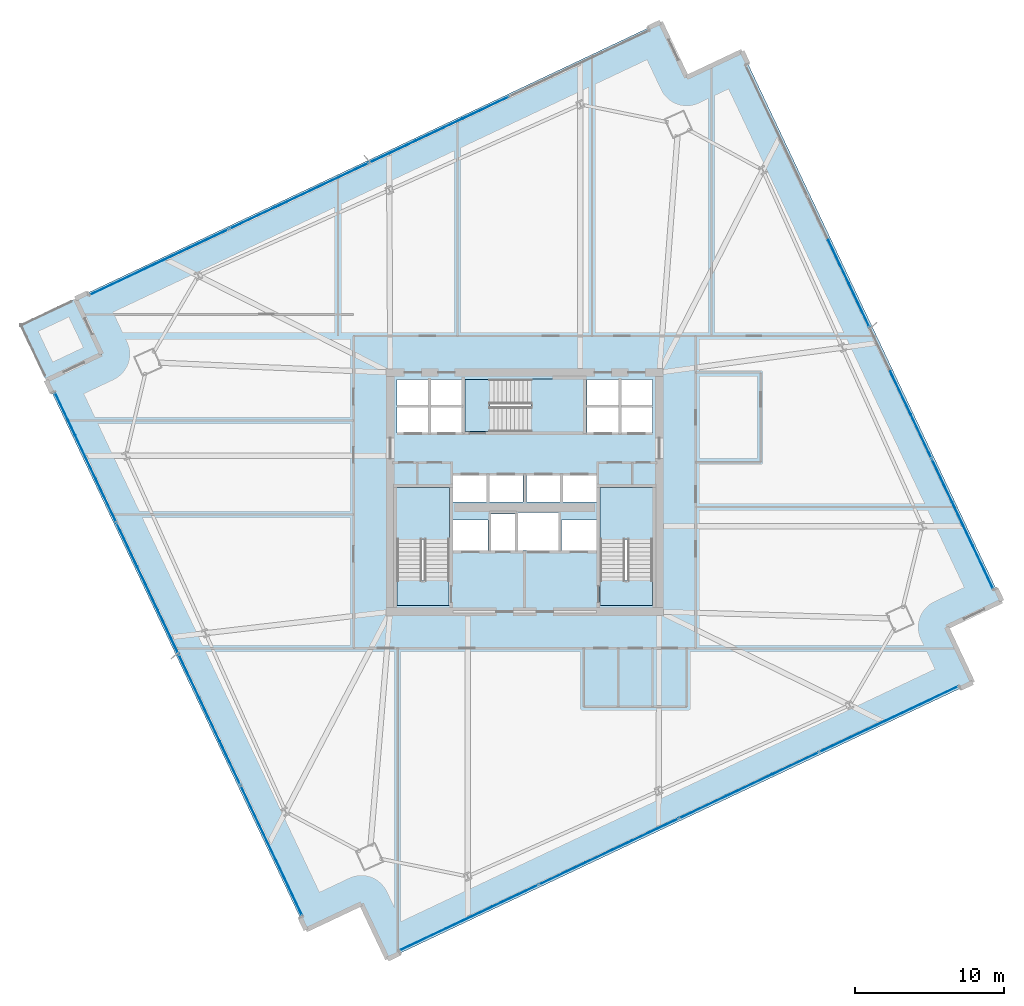
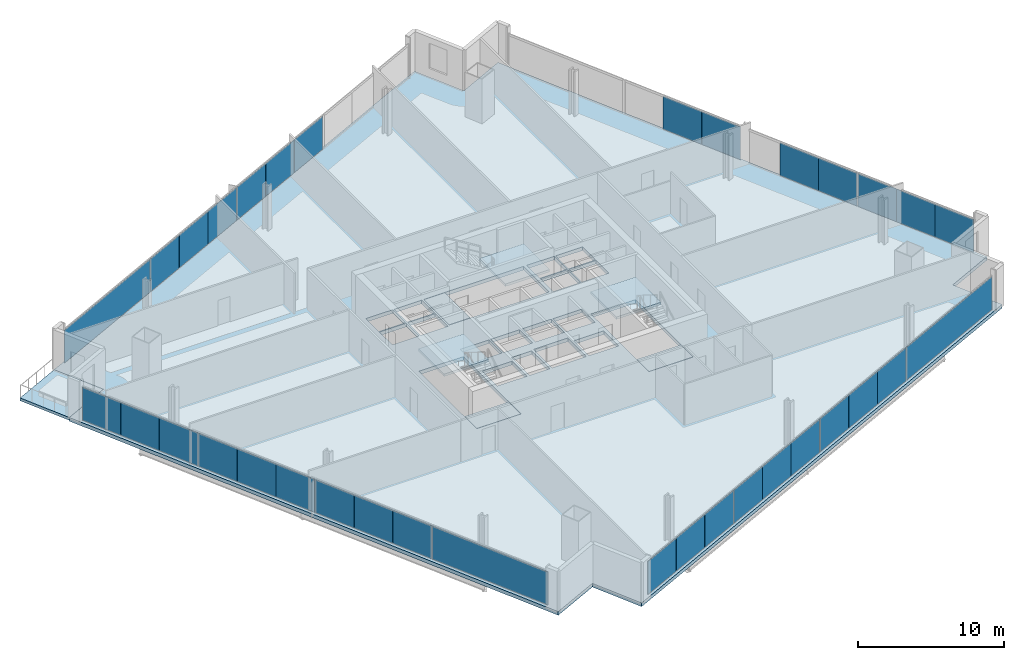
# One storey, part 24 of 34: 34 plates, 8 slabs, 7 elements without a shape of their own.
"""IFC4 building model written with IfcOpenShell, lengths in metres."""

from ifc_helpers import new_model, si_unit, direction, frame, origin, origin_2d, place, context, subcontext, project, spatial, polyline, rectangle, outline, extrude, source, transform, mapped, material, layer, layer_set, type_object, element, aggregate, save


model = new_model("IFC4")

# Units and contexts
model_context = context("Model", 3, precision=1e-05, world=origin(), true_north=direction((0.0, 1.0)))
body_context = subcontext(model_context, "Body", "Model", "MODEL_VIEW")
ifc_project = project(units=[si_unit("LENGTHUNIT", "METRE"), si_unit("AREAUNIT", "SQUARE_METRE"), si_unit("VOLUMEUNIT", "CUBIC_METRE"), si_unit("PLANEANGLEUNIT", "RADIAN"), si_unit("MASSUNIT", "GRAM", prefix="KILO")], contexts=[model_context])

# Site, building, storey
site_placement = place(None, origin())
site = spatial("IfcSite", under=ifc_project, at=site_placement, CompositionType="ELEMENT")
building_placement = place(site_placement, origin())
building = spatial("IfcBuilding", under=site, at=building_placement, Name="Haldenkirk Collegiate Tower", CompositionType="ELEMENT")
storey_placement = place(building_placement, frame((0.0, 0.0, 112.949951171875)))
storey = spatial("IfcBuildingStorey", under=building, at=storey_placement, Name="L27", CompositionType="ELEMENT", Elevation=112.949951171875)

# Slab
ifc_material_1 = material(Name="Concrete f'c 40 MPa", Category="concrete")
ifc_layer_1 = layer(ifc_material_1, 0.300048828125)
ifc_layer_set_1 = layer_set([ifc_layer_1], Name="Concrete f'c 40 MPa")
slab_type_1 = type_object("IfcSlabType", Name="SLB-FLR-300", PredefinedType="FLOOR", material=ifc_layer_set_1)
slab_1_placement = place(storey_placement, frame((0.0, 0.0, -0.300048828125)))
element("IfcSlab", 1, at=slab_1_placement, inside=storey, type_object=slab_type_1, Name="L27 composite structural floor slab", PredefinedType="FLOOR", context=body_context, shape_type="SweptSolid", body=[
    extrude(outline(polyline([(26.822021484375, -5.244140625), (65.968994140625, 13.260498046875), (64.216796875, 16.96728515625), (67.92333984375, 18.719482421875), (50.540771484375, 55.492919921875), (46.833984375, 53.74072265625), (45.081787109375, 57.447509765625), (5.93505859375, 38.94287109375), (7.68701171875, 35.236083984375), (3.98046875, 33.48388671875), (21.36328125, -3.28955078125), (25.06982421875, -1.537353515625), (26.822021484375, -5.244140625)]), holes=[polyline([(27.449951171875, 18.39990234375), (30.949951171875, 18.39990234375), (30.949951171875, 26.300048828125), (27.449951171875, 26.300048828125), (27.449951171875, 18.39990234375)]), polyline([(41.050048828125, 18.39990234375), (44.550048828125, 18.39990234375), (44.550048828125, 26.300048828125), (41.050048828125, 26.300048828125), (41.050048828125, 18.39990234375)]), polyline([(32.0, 30.050048828125), (39.89990234375, 30.050048828125), (39.89990234375, 33.550048828125), (32.0, 33.550048828125), (32.0, 30.050048828125)]), polyline([(33.75, 22.10009765625), (35.35009765625, 22.10009765625), (35.35009765625, 24.550048828125), (33.75, 24.550048828125), (33.75, 22.10009765625)]), polyline([(27.449951171875, 29.949951171875), (29.580078125, 29.949951171875), (29.580078125, 31.699951171875), (27.449951171875, 31.699951171875), (27.449951171875, 29.949951171875)]), polyline([(29.679931640625, 29.949951171875), (31.85009765625, 29.949951171875), (31.85009765625, 31.699951171875), (29.679931640625, 31.699951171875), (29.679931640625, 29.949951171875)]), polyline([(27.449951171875, 31.800048828125), (29.580078125, 31.800048828125), (29.580078125, 33.550048828125), (27.449951171875, 33.550048828125), (27.449951171875, 31.800048828125)]), polyline([(29.679931640625, 31.800048828125), (31.85009765625, 31.800048828125), (31.85009765625, 33.550048828125), (29.679931640625, 33.550048828125), (29.679931640625, 31.800048828125)]), polyline([(40.14990234375, 29.949951171875), (42.320068359375, 29.949951171875), (42.320068359375, 31.699951171875), (40.14990234375, 31.699951171875), (40.14990234375, 29.949951171875)]), polyline([(42.419921875, 29.949951171875), (44.550048828125, 29.949951171875), (44.550048828125, 31.699951171875), (42.419921875, 31.699951171875), (42.419921875, 29.949951171875)]), polyline([(40.14990234375, 31.800048828125), (42.320068359375, 31.800048828125), (42.320068359375, 33.550048828125), (40.14990234375, 33.550048828125), (40.14990234375, 31.800048828125)]), polyline([(42.419921875, 31.800048828125), (44.550048828125, 31.800048828125), (44.550048828125, 33.550048828125), (42.419921875, 33.550048828125), (42.419921875, 31.800048828125)]), polyline([(31.199951171875, 25.35009765625), (33.47998046875, 25.35009765625), (33.47998046875, 27.14990234375), (31.199951171875, 27.14990234375), (31.199951171875, 25.35009765625)]), polyline([(33.60009765625, 25.35009765625), (35.8798828125, 25.35009765625), (35.8798828125, 27.14990234375), (33.60009765625, 27.14990234375), (33.60009765625, 25.35009765625)]), polyline([(36.1201171875, 25.35009765625), (38.39990234375, 25.35009765625), (38.39990234375, 27.14990234375), (36.1201171875, 27.14990234375), (36.1201171875, 25.35009765625)]), polyline([(38.52001953125, 25.35009765625), (40.800048828125, 25.35009765625), (40.800048828125, 27.14990234375), (38.52001953125, 27.14990234375), (38.52001953125, 25.35009765625)]), polyline([(31.199951171875, 22.10009765625), (33.550048828125, 22.10009765625), (33.550048828125, 24.14990234375), (31.199951171875, 24.14990234375), (31.199951171875, 22.10009765625)]), polyline([(38.449951171875, 22.10009765625), (40.800048828125, 22.10009765625), (40.800048828125, 24.14990234375), (38.449951171875, 24.14990234375), (38.449951171875, 22.10009765625)]), polyline([(35.550048828125, 22.10009765625), (38.25, 22.10009765625), (38.25, 24.64990234375), (35.550048828125, 24.64990234375), (35.550048828125, 22.10009765625)])]), origin(), (0.0, 0.0, 1.0), 0.300048828125),
])

# Stair, slab
stair_type = type_object("IfcStairType", Name="STR-DOGLEG-1650", PredefinedType="HALF_TURN_STAIR", material=ifc_material_1)
stair_1_placement = place(storey_placement, origin())
stair_1 = element("IfcStair", 2, at=stair_1_placement, inside=storey, type_object=stair_type, Name="L27 Core Exit Stair ST-1", PredefinedType="HALF_TURN_STAIR")
ifc_layer_2 = layer(ifc_material_1, 0.199951171875)
ifc_layer_set_2 = layer_set([ifc_layer_2], Name="Concrete f'c 40 MPa")
slab_type_2 = type_object("IfcSlabType", Name="SLB-LANDING-200", PredefinedType="LANDING", material=ifc_layer_set_2)
slab_2_placement = place(storey_placement, frame((0.0, 0.0, 1.675048828125)))
slab_2 = element("IfcSlab", 3, at=slab_2_placement, type_object=slab_type_2, Name="ST-1 landing 1", PredefinedType="LANDING", context=body_context, shape_type="SweptSolid", body=[
    extrude(outline(polyline([(30.97509765625, 22.824951171875), (27.425048828125, 22.824951171875), (27.425048828125, 26.324951171875), (30.97509765625, 26.324951171875), (30.97509765625, 22.824951171875)])), origin(), (0.0, 0.0, 1.0), 0.199951171875),
])
aggregate(stair_1, [slab_2])

stair_2_placement = place(storey_placement, origin())
stair_2 = element("IfcStair", 4, at=stair_2_placement, inside=storey, type_object=stair_type, Name="L27 Core Exit Stair ST-2", PredefinedType="HALF_TURN_STAIR")
slab_3_placement = place(storey_placement, frame((0.0, 0.0, 1.675048828125)))
slab_3 = element("IfcSlab", 5, at=slab_3_placement, type_object=slab_type_2, Name="ST-2 landing 1", PredefinedType="LANDING", context=body_context, shape_type="SweptSolid", body=[
    extrude(outline(polyline([(44.574951171875, 22.824951171875), (41.02490234375, 22.824951171875), (41.02490234375, 26.324951171875), (44.574951171875, 26.324951171875), (44.574951171875, 22.824951171875)])), origin(), (0.0, 0.0, 1.0), 0.199951171875),
])
aggregate(stair_2, [slab_3])

stair_3_placement = place(storey_placement, origin())
stair_3 = element("IfcStair", 6, at=stair_3_placement, inside=storey, type_object=stair_type, Name="L27 Core Exit Stair ST-3", PredefinedType="HALF_TURN_STAIR")
slab_4_placement = place(storey_placement, frame((0.0, 0.0, 1.675048828125)))
slab_4 = element("IfcSlab", 7, at=slab_4_placement, type_object=slab_type_2, Name="ST-3 landing 1", PredefinedType="LANDING", context=body_context, shape_type="SweptSolid", body=[
    extrude(outline(polyline([(36.425048828125, 30.02490234375), (36.425048828125, 33.574951171875), (39.925048828125, 33.574951171875), (39.925048828125, 30.02490234375), (36.425048828125, 30.02490234375)])), origin(), (0.0, 0.0, 1.0), 0.199951171875),
])
aggregate(stair_3, [slab_4])

# Slabs
ifc_layer_3 = layer(ifc_material_1, 0.25)
ifc_layer_set_3 = layer_set([ifc_layer_3], Name="Concrete f'c 40 MPa")
slab_type_3 = type_object("IfcSlabType", Name="SLB-STAIRLAND-250", PredefinedType="LANDING", material=ifc_layer_set_3)
slab_5_placement = place(storey_placement, frame((0.0, 0.0, -0.25)))
element("IfcSlab", 8, at=slab_5_placement, inside=storey, type_object=slab_type_3, Name="L27 stair ST1 structural floor landing slab", PredefinedType="LANDING", context=body_context, shape_type="SweptSolid", body=[
    extrude(outline(polyline([(27.4599609375, 18.409912109375), (30.93994140625, 18.409912109375), (30.93994140625, 20.080078125), (27.4599609375, 20.080078125), (27.4599609375, 18.409912109375)])), origin(), (0.0, 0.0, 1.0), 0.25),
])
slab_6_placement = place(storey_placement, frame((0.0, 0.0, -0.25)))
element("IfcSlab", 9, at=slab_6_placement, inside=storey, type_object=slab_type_3, Name="L27 stair ST2 structural floor landing slab", PredefinedType="LANDING", context=body_context, shape_type="SweptSolid", body=[
    extrude(outline(polyline([(41.06005859375, 18.409912109375), (44.5400390625, 18.409912109375), (44.5400390625, 20.080078125), (41.06005859375, 20.080078125), (41.06005859375, 18.409912109375)])), origin(), (0.0, 0.0, 1.0), 0.25),
])
slab_7_placement = place(storey_placement, frame((0.0, 0.0, -0.25)))
element("IfcSlab", 10, at=slab_7_placement, inside=storey, type_object=slab_type_3, Name="L27 stair ST3 structural floor landing slab", PredefinedType="LANDING", context=body_context, shape_type="SweptSolid", body=[
    extrude(outline(polyline([(32.010009765625, 30.06005859375), (33.679931640625, 30.06005859375), (33.679931640625, 33.5400390625), (32.010009765625, 33.5400390625), (32.010009765625, 30.06005859375)])), origin(), (0.0, 0.0, 1.0), 0.25),
])
ifc_layer_4 = layer(ifc_material_1, 0.22998046875)
ifc_layer_set_4 = layer_set([ifc_layer_4], Name="Concrete f'c 40 MPa")
slab_type_4 = type_object("IfcSlabType", Name="SLB-TERR-SPIRAL-230", PredefinedType="FLOOR", material=ifc_layer_set_4)
slab_8_placement = place(storey_placement, frame((0.0, 0.0, -0.22998046875)))
element("IfcSlab", 11, at=slab_8_placement, inside=storey, type_object=slab_type_4, Name="L27 spiralling corner terrace slab", PredefinedType="FLOOR", context=body_context, shape_type="SweptSolid", body=[
    extrude(outline(polyline([(3.98046875, 33.48388671875), (7.68701171875, 35.236083984375), (5.93505859375, 38.94287109375), (2.228271484375, 37.19091796875), (3.98046875, 33.48388671875)])), origin(), (0.0, 0.0, 1.0), 0.22998046875),
])

# Curtain wall, plates
ifc_material_2 = material(Name="Anodised architectural bronze aluminium", Category="aluminium")
curtain_wall_type_1 = type_object("IfcCurtainWallType", Name="CW-SYS2-CONCAVE", PredefinedType="USERDEFINED", material=ifc_material_2)
curtain_wall_1_placement = place(storey_placement, origin())
curtain_wall_1 = element("IfcCurtainWall", 12, at=curtain_wall_1_placement, inside=storey, type_object=curtain_wall_type_1, Name="L27 South concave recessed bronze-anodised curtain wall", ObjectType="UNITISED CURTAIN WALL", PredefinedType="USERDEFINED")
ifc_material_3 = material(Name="Low-E argon triple insulating glass", Category="glass")
ifc_layer_5 = layer(ifc_material_3, 0.0419921875)
ifc_layer_set_5 = layer_set([ifc_layer_5], Name="Low-E argon triple insulating glass")
plate_type_1 = type_object("IfcPlateType", Name="CW-PNL-02", PredefinedType="CURTAIN_PANEL", material=ifc_layer_set_5)
shared_shape_1 = source(origin(), body_context, "Body", "SweptSolid", [
    extrude(rectangle(XDim=10.262451171875, YDim=0.0419921875, at=origin_2d()), origin(), (0.0, 0.0, 1.0), 2.7509765625),
])
plate_1_placement = place(storey_placement, frame((60.371337890625, 10.813720703125, 0.074951171875), z_axis=(0.0, 0.0, 1.0), x_axis=(-0.904081982955, -0.42735906226, 0.0)))
plate_1 = element("IfcPlate", 13, at=plate_1_placement, type_object=plate_type_1, Name="CW-02 panel 1.1", PredefinedType="CURTAIN_PANEL", context=body_context, shape_type="MappedRepresentation", body=[
    mapped(shared_shape_1, transform((0.0, 0.0, 0.0), x_axis=(1.0, 0.0, 0.0), y_axis=(0.0, 1.0, 0.0), z_axis=(0.0, 0.0, 1.0), scale=1.0)),
])
ifc_material_4 = material(Name="Bronze-anodised insulated aluminium spandrel panel", Category="aluminium")
ifc_layer_6 = layer(ifc_material_4, 0.0419921875)
ifc_layer_set_6 = layer_set([ifc_layer_6], Name="Bronze-anodised insulated aluminium spandrel panel")
plate_type_2 = type_object("IfcPlateType", Name="CW-SPD-02", PredefinedType="CURTAIN_PANEL", material=ifc_layer_set_6)
shared_shape_2 = source(origin(), body_context, "Body", "SweptSolid", [
    extrude(rectangle(XDim=3.4208984375, YDim=0.0419921875, at=origin_2d()), origin(), (0.0, 0.0, 1.0), 2.7509765625),
])
plate_2_placement = place(storey_placement, frame((54.1181640625, 7.85791015625, 0.074951171875), z_axis=(0.0, 0.0, 1.0), x_axis=(-0.904081982955, -0.42735906226, 0.0)))
plate_2 = element("IfcPlate", 14, at=plate_2_placement, type_object=plate_type_2, Name="CW-02 spandrel panel 2.1a", PredefinedType="CURTAIN_PANEL", context=body_context, shape_type="MappedRepresentation", body=[
    mapped(shared_shape_2, transform((0.0, 0.0, 0.0), x_axis=(1.0, 0.0, 0.0), y_axis=(0.0, 1.0, 0.0), z_axis=(0.0, 0.0, 1.0), scale=1.0)),
])
plate_3_placement = place(storey_placement, frame((47.89892578125, 4.91796875, 0.074951171875), z_axis=(0.0, 0.0, 1.0), x_axis=(-0.904081982955, -0.42735906226, 0.0)))
plate_3 = element("IfcPlate", 15, at=plate_3_placement, type_object=plate_type_1, Name="CW-02 panel 2.1c", PredefinedType="CURTAIN_PANEL", context=body_context, shape_type="MappedRepresentation", body=[
    mapped(shared_shape_2, transform((0.0, 0.0, 0.0), x_axis=(1.0, 0.0, 0.0), y_axis=(0.0, 1.0, 0.0), z_axis=(0.0, 0.0, 1.0), scale=1.0)),
])
plate_4_placement = place(storey_placement, frame((44.73828125, 3.423828125, 0.074951171875), z_axis=(0.0, 0.0, 1.0), x_axis=(-0.904081982955, -0.42735906226, 0.0)))
plate_4 = element("IfcPlate", 16, at=plate_4_placement, type_object=plate_type_1, Name="CW-02 panel 3.1a", PredefinedType="CURTAIN_PANEL", context=body_context, shape_type="MappedRepresentation", body=[
    mapped(shared_shape_2, transform((0.0, 0.0, 0.0), x_axis=(1.0, 0.0, 0.0), y_axis=(0.0, 1.0, 0.0), z_axis=(0.0, 0.0, 1.0), scale=1.0)),
])
plate_5_placement = place(storey_placement, frame((38.51904296875, 0.48388671875, 0.074951171875), z_axis=(0.0, 0.0, 1.0), x_axis=(-0.904081982955, -0.42735906226, 0.0)))
plate_5 = element("IfcPlate", 17, at=plate_5_placement, type_object=plate_type_2, Name="CW-02 spandrel panel 3.1c", PredefinedType="CURTAIN_PANEL", context=body_context, shape_type="MappedRepresentation", body=[
    mapped(shared_shape_2, transform((0.0, 0.0, 0.0), x_axis=(1.0, 0.0, 0.0), y_axis=(0.0, 1.0, 0.0), z_axis=(0.0, 0.0, 1.0), scale=1.0)),
])
shared_shape_3 = source(origin(), body_context, "Body", "SweptSolid", [
    extrude(rectangle(XDim=3.408203125, YDim=0.0419921875, at=origin_2d()), origin(), (0.0, 0.0, 1.0), 2.7509765625),
])
plate_6_placement = place(storey_placement, frame((51.008544921875, 6.3876953125, 0.074951171875), z_axis=(0.0, 0.0, 1.0), x_axis=(-0.904081982955, -0.42735906226, 0.0)))
plate_6 = element("IfcPlate", 18, at=plate_6_placement, type_object=plate_type_2, Name="CW-02 spandrel panel 2.1b", PredefinedType="CURTAIN_PANEL", context=body_context, shape_type="MappedRepresentation", body=[
    mapped(shared_shape_3, transform((0.0, 0.0, 0.0), x_axis=(1.0, 0.0, 0.0), y_axis=(0.0, 1.0, 0.0), z_axis=(0.0, 0.0, 1.0), scale=1.0)),
])
plate_7_placement = place(storey_placement, frame((41.628662109375, 1.9541015625, 0.074951171875), z_axis=(0.0, 0.0, 1.0), x_axis=(-0.904081982955, -0.42735906226, 0.0)))
plate_7 = element("IfcPlate", 19, at=plate_7_placement, type_object=plate_type_2, Name="CW-02 spandrel panel 3.1b", PredefinedType="CURTAIN_PANEL", context=body_context, shape_type="MappedRepresentation", body=[
    mapped(shared_shape_3, transform((0.0, 0.0, 0.0), x_axis=(1.0, 0.0, 0.0), y_axis=(0.0, 1.0, 0.0), z_axis=(0.0, 0.0, 1.0), scale=1.0)),
])
plate_8_placement = place(storey_placement, frame((35.364013671875, -1.00732421875, 0.074951171875), z_axis=(0.0, 0.0, 1.0), x_axis=(-0.904081982955, -0.42735906226, 0.0)))
plate_8 = element("IfcPlate", 20, at=plate_8_placement, type_object=plate_type_2, Name="CW-02 spandrel panel 4.1a", PredefinedType="CURTAIN_PANEL", context=body_context, shape_type="MappedRepresentation", body=[
    mapped(shared_shape_3, transform((0.0, 0.0, 0.0), x_axis=(1.0, 0.0, 0.0), y_axis=(0.0, 1.0, 0.0), z_axis=(0.0, 0.0, 1.0), scale=1.0)),
])
plate_9_placement = place(storey_placement, frame((29.16748046875, -3.9365234375, 0.074951171875), z_axis=(0.0, 0.0, 1.0), x_axis=(-0.904081982955, -0.42735906226, 0.0)))
plate_9 = element("IfcPlate", 21, at=plate_9_placement, type_object=plate_type_1, Name="CW-02 panel 4.1c", PredefinedType="CURTAIN_PANEL", context=body_context, shape_type="MappedRepresentation", body=[
    mapped(shared_shape_3, transform((0.0, 0.0, 0.0), x_axis=(1.0, 0.0, 0.0), y_axis=(0.0, 1.0, 0.0), z_axis=(0.0, 0.0, 1.0), scale=1.0)),
])
shared_shape_4 = source(origin(), body_context, "Body", "SweptSolid", [
    extrude(rectangle(XDim=3.395751953125, YDim=0.0419921875, at=origin_2d()), origin(), (0.0, 0.0, 1.0), 2.7509765625),
])
plate_10_placement = place(storey_placement, frame((32.265869140625, -2.471923828125, 0.074951171875), z_axis=(0.0, 0.0, 1.0), x_axis=(-0.904081982955, -0.42735906226, 0.0)))
plate_10 = element("IfcPlate", 22, at=plate_10_placement, type_object=plate_type_1, Name="CW-02 panel 4.1b", PredefinedType="CURTAIN_PANEL", context=body_context, shape_type="MappedRepresentation", body=[
    mapped(shared_shape_4, transform((0.0, 0.0, 0.0), x_axis=(1.0, 0.0, 0.0), y_axis=(0.0, 1.0, 0.0), z_axis=(0.0, 0.0, 1.0), scale=1.0)),
])
aggregate(curtain_wall_1, [plate_1, plate_2, plate_6, plate_3, plate_4, plate_7, plate_5, plate_8, plate_10, plate_9])

# Curtain wall, plate
curtain_wall_type_2 = type_object("IfcCurtainWallType", Name="CW-SYS1-CONVEX-LOW", PredefinedType="USERDEFINED", material=ifc_material_2)
curtain_wall_2_placement = place(storey_placement, origin())
curtain_wall_2 = element("IfcCurtainWall", 23, at=curtain_wall_2_placement, inside=storey, type_object=curtain_wall_type_2, Name="L27 Lower tower convex bronze-framed unitised curtain wall", ObjectType="UNITISED CURTAIN WALL", PredefinedType="USERDEFINED")
ifc_layer_7 = layer(ifc_material_3, 0.0439453125)
ifc_layer_set_7 = layer_set([ifc_layer_7], Name="Low-E argon triple insulating glass")
plate_type_3 = type_object("IfcPlateType", Name="CW-PNL-1A", PredefinedType="CURTAIN_PANEL", material=ifc_layer_set_7)
shared_shape_5 = source(origin(), body_context, "Body", "SweptSolid", [
    extrude(rectangle(XDim=9.5986328125, YDim=0.0439453125, at=origin_2d()), origin(), (0.0, 0.0, 1.0), 2.740966796875),
])
plate_11_placement = place(storey_placement, frame((19.05615234375, 2.012451171875, 0.080078125), z_axis=(0.0, 0.0, 1.0), x_axis=(-0.427360273772, 0.904081410273, 0.0)))
plate_11 = element("IfcPlate", 24, at=plate_11_placement, type_object=plate_type_3, Name="CW-1A panel 1.1", PredefinedType="CURTAIN_PANEL", context=body_context, shape_type="MappedRepresentation", body=[
    mapped(shared_shape_5, transform((0.0, 0.0, 0.0), x_axis=(1.0, 0.0, 0.0), y_axis=(0.0, 1.0, 0.0), z_axis=(0.0, 0.0, 1.0), scale=1.0)),
])

# Curtain wall, plates
curtain_wall_3_placement = place(storey_placement, origin())
curtain_wall_3 = element("IfcCurtainWall", 25, at=curtain_wall_3_placement, inside=storey, type_object=curtain_wall_type_2, Name="L27 Lower tower convex bronze-framed unitised curtain wall", ObjectType="UNITISED CURTAIN WALL", PredefinedType="USERDEFINED")
shared_shape_6 = source(origin(), body_context, "Body", "SweptSolid", [
    extrude(rectangle(XDim=3.200439453125, YDim=0.0439453125, at=origin_2d()), origin(), (0.0, 0.0, 1.0), 2.740966796875),
])
plate_12_placement = place(storey_placement, frame((58.368408203125, 38.51220703125, 0.080078125), z_axis=(0.0, 0.0, 1.0), x_axis=(0.427357177338, -0.904082873954, 0.0)))
plate_12 = element("IfcPlate", 26, at=plate_12_placement, type_object=plate_type_3, Name="CW-1A panel 2.1c", PredefinedType="CURTAIN_PANEL", context=body_context, shape_type="MappedRepresentation", body=[
    mapped(shared_shape_6, transform((0.0, 0.0, 0.0), x_axis=(1.0, 0.0, 0.0), y_axis=(0.0, 1.0, 0.0), z_axis=(0.0, 0.0, 1.0), scale=1.0)),
])
ifc_layer_8 = layer(ifc_material_4, 0.0439453125)
ifc_layer_set_8 = layer_set([ifc_layer_8], Name="Bronze-anodised insulated aluminium spandrel panel")
plate_type_4 = type_object("IfcPlateType", Name="CW-SPD-1A", PredefinedType="CURTAIN_PANEL", material=ifc_layer_set_8)
plate_13_placement = place(storey_placement, frame((62.521728515625, 29.7255859375, 0.080078125), z_axis=(0.0, 0.0, 1.0), x_axis=(0.427357177338, -0.904082873954, 0.0)))
plate_13 = element("IfcPlate", 27, at=plate_13_placement, type_object=plate_type_4, Name="CW-1A spandrel panel 3.1c", PredefinedType="CURTAIN_PANEL", context=body_context, shape_type="MappedRepresentation", body=[
    mapped(shared_shape_6, transform((0.0, 0.0, 0.0), x_axis=(1.0, 0.0, 0.0), y_axis=(0.0, 1.0, 0.0), z_axis=(0.0, 0.0, 1.0), scale=1.0)),
])

# Plate
plate_14_placement = place(storey_placement, frame((16.286865234375, 7.87060546875, 0.080078125), z_axis=(0.0, 0.0, 1.0), x_axis=(-0.427360273772, 0.904081410273, 0.0)))
plate_14 = element("IfcPlate", 28, at=plate_14_placement, type_object=plate_type_4, Name="CW-1A spandrel panel 2.1a", PredefinedType="CURTAIN_PANEL", context=body_context, shape_type="MappedRepresentation", body=[
    mapped(shared_shape_6, transform((0.0, 0.0, 0.0), x_axis=(1.0, 0.0, 0.0), y_axis=(0.0, 1.0, 0.0), z_axis=(0.0, 0.0, 1.0), scale=1.0)),
])

plate_15_placement = place(storey_placement, frame((13.535400390625, 13.69140625, 0.080078125), z_axis=(0.0, 0.0, 1.0), x_axis=(-0.427360273772, 0.904081410273, 0.0)))
plate_15 = element("IfcPlate", 29, at=plate_15_placement, type_object=plate_type_3, Name="CW-1A panel 2.1c", PredefinedType="CURTAIN_PANEL", context=body_context, shape_type="MappedRepresentation", body=[
    mapped(shared_shape_6, transform((0.0, 0.0, 0.0), x_axis=(1.0, 0.0, 0.0), y_axis=(0.0, 1.0, 0.0), z_axis=(0.0, 0.0, 1.0), scale=1.0)),
])

plate_16_placement = place(storey_placement, frame((12.133544921875, 16.656982421875, 0.080078125), z_axis=(0.0, 0.0, 1.0), x_axis=(-0.427360273772, 0.904081410273, 0.0)))
plate_16 = element("IfcPlate", 30, at=plate_16_placement, type_object=plate_type_3, Name="CW-1A panel 3.1a", PredefinedType="CURTAIN_PANEL", context=body_context, shape_type="MappedRepresentation", body=[
    mapped(shared_shape_6, transform((0.0, 0.0, 0.0), x_axis=(1.0, 0.0, 0.0), y_axis=(0.0, 1.0, 0.0), z_axis=(0.0, 0.0, 1.0), scale=1.0)),
])

plate_17_placement = place(storey_placement, frame((9.382080078125, 22.477783203125, 0.080078125), z_axis=(0.0, 0.0, 1.0), x_axis=(-0.427360273772, 0.904081410273, 0.0)))
plate_17 = element("IfcPlate", 31, at=plate_17_placement, type_object=plate_type_4, Name="CW-1A spandrel panel 3.1c", PredefinedType="CURTAIN_PANEL", context=body_context, shape_type="MappedRepresentation", body=[
    mapped(shared_shape_6, transform((0.0, 0.0, 0.0), x_axis=(1.0, 0.0, 0.0), y_axis=(0.0, 1.0, 0.0), z_axis=(0.0, 0.0, 1.0), scale=1.0)),
])

shared_shape_7 = source(origin(), body_context, "Body", "SweptSolid", [
    extrude(rectangle(XDim=3.18798828125, YDim=0.0439453125, at=origin_2d()), origin(), (0.0, 0.0, 1.0), 2.740966796875),
])
plate_18_placement = place(storey_placement, frame((56.99267578125, 41.422607421875, 0.080078125), z_axis=(0.0, 0.0, 1.0), x_axis=(0.427357177338, -0.904082873954, 0.0)))
plate_18 = element("IfcPlate", 32, at=plate_18_placement, type_object=plate_type_4, Name="CW-1A spandrel panel 2.1b", PredefinedType="CURTAIN_PANEL", context=body_context, shape_type="MappedRepresentation", body=[
    mapped(shared_shape_7, transform((0.0, 0.0, 0.0), x_axis=(1.0, 0.0, 0.0), y_axis=(0.0, 1.0, 0.0), z_axis=(0.0, 0.0, 1.0), scale=1.0)),
])

plate_19_placement = place(storey_placement, frame((61.14599609375, 32.635986328125, 0.080078125), z_axis=(0.0, 0.0, 1.0), x_axis=(0.427357177338, -0.904082873954, 0.0)))
plate_19 = element("IfcPlate", 33, at=plate_19_placement, type_object=plate_type_4, Name="CW-1A spandrel panel 3.1b", PredefinedType="CURTAIN_PANEL", context=body_context, shape_type="MappedRepresentation", body=[
    mapped(shared_shape_7, transform((0.0, 0.0, 0.0), x_axis=(1.0, 0.0, 0.0), y_axis=(0.0, 1.0, 0.0), z_axis=(0.0, 0.0, 1.0), scale=1.0)),
])

plate_20_placement = place(storey_placement, frame((14.9111328125, 10.781005859375, 0.080078125), z_axis=(0.0, 0.0, 1.0), x_axis=(-0.427360273772, 0.904081410273, 0.0)))
plate_20 = element("IfcPlate", 34, at=plate_20_placement, type_object=plate_type_4, Name="CW-1A spandrel panel 2.1b", PredefinedType="CURTAIN_PANEL", context=body_context, shape_type="MappedRepresentation", body=[
    mapped(shared_shape_7, transform((0.0, 0.0, 0.0), x_axis=(1.0, 0.0, 0.0), y_axis=(0.0, 1.0, 0.0), z_axis=(0.0, 0.0, 1.0), scale=1.0)),
])

plate_21_placement = place(storey_placement, frame((10.7578125, 19.5673828125, 0.080078125), z_axis=(0.0, 0.0, 1.0), x_axis=(-0.427360273772, 0.904081410273, 0.0)))
plate_21 = element("IfcPlate", 35, at=plate_21_placement, type_object=plate_type_4, Name="CW-1A spandrel panel 3.1b", PredefinedType="CURTAIN_PANEL", context=body_context, shape_type="MappedRepresentation", body=[
    mapped(shared_shape_7, transform((0.0, 0.0, 0.0), x_axis=(1.0, 0.0, 0.0), y_axis=(0.0, 1.0, 0.0), z_axis=(0.0, 0.0, 1.0), scale=1.0)),
])

shared_shape_8 = source(origin(), body_context, "Body", "SweptSolid", [
    extrude(rectangle(XDim=3.18701171875, YDim=0.0439453125, at=origin_2d()), origin(), (0.0, 0.0, 1.0), 2.740966796875),
])
plate_22_placement = place(storey_placement, frame((63.9208984375, 26.765869140625, 0.080078125), z_axis=(0.0, 0.0, 1.0), x_axis=(0.427357177338, -0.904082873954, 0.0)))
plate_22 = element("IfcPlate", 36, at=plate_22_placement, type_object=plate_type_4, Name="CW-1A spandrel panel 4.1a", PredefinedType="CURTAIN_PANEL", context=body_context, shape_type="MappedRepresentation", body=[
    mapped(shared_shape_8, transform((0.0, 0.0, 0.0), x_axis=(1.0, 0.0, 0.0), y_axis=(0.0, 1.0, 0.0), z_axis=(0.0, 0.0, 1.0), scale=1.0)),
])

plate_23_placement = place(storey_placement, frame((66.660888671875, 20.96923828125, 0.080078125), z_axis=(0.0, 0.0, 1.0), x_axis=(0.427357177338, -0.904082873954, 0.0)))
plate_23 = element("IfcPlate", 37, at=plate_23_placement, type_object=plate_type_3, Name="CW-1A panel 4.1c", PredefinedType="CURTAIN_PANEL", context=body_context, shape_type="MappedRepresentation", body=[
    mapped(shared_shape_8, transform((0.0, 0.0, 0.0), x_axis=(1.0, 0.0, 0.0), y_axis=(0.0, 1.0, 0.0), z_axis=(0.0, 0.0, 1.0), scale=1.0)),
])

plate_24_placement = place(storey_placement, frame((7.98291015625, 25.4375, 0.080078125), z_axis=(0.0, 0.0, 1.0), x_axis=(-0.427360273772, 0.904081410273, 0.0)))
plate_24 = element("IfcPlate", 38, at=plate_24_placement, type_object=plate_type_4, Name="CW-1A spandrel panel 4.1a", PredefinedType="CURTAIN_PANEL", context=body_context, shape_type="MappedRepresentation", body=[
    mapped(shared_shape_8, transform((0.0, 0.0, 0.0), x_axis=(1.0, 0.0, 0.0), y_axis=(0.0, 1.0, 0.0), z_axis=(0.0, 0.0, 1.0), scale=1.0)),
])

plate_25_placement = place(storey_placement, frame((5.242919921875, 31.234130859375, 0.080078125), z_axis=(0.0, 0.0, 1.0), x_axis=(-0.427360273772, 0.904081410273, 0.0)))
plate_25 = element("IfcPlate", 39, at=plate_25_placement, type_object=plate_type_3, Name="CW-1A panel 4.1c", PredefinedType="CURTAIN_PANEL", context=body_context, shape_type="MappedRepresentation", body=[
    mapped(shared_shape_8, transform((0.0, 0.0, 0.0), x_axis=(1.0, 0.0, 0.0), y_axis=(0.0, 1.0, 0.0), z_axis=(0.0, 0.0, 1.0), scale=1.0)),
])

shared_shape_9 = source(origin(), body_context, "Body", "SweptSolid", [
    extrude(rectangle(XDim=3.174560546875, YDim=0.0439453125, at=origin_2d()), origin(), (0.0, 0.0, 1.0), 2.740966796875),
])
plate_26_placement = place(storey_placement, frame((65.291015625, 23.86767578125, 0.080078125), z_axis=(0.0, 0.0, 1.0), x_axis=(0.427357177338, -0.904082873954, 0.0)))
plate_26 = element("IfcPlate", 40, at=plate_26_placement, type_object=plate_type_3, Name="CW-1A panel 4.1b", PredefinedType="CURTAIN_PANEL", context=body_context, shape_type="MappedRepresentation", body=[
    mapped(shared_shape_9, transform((0.0, 0.0, 0.0), x_axis=(1.0, 0.0, 0.0), y_axis=(0.0, 1.0, 0.0), z_axis=(0.0, 0.0, 1.0), scale=1.0)),
])

aggregate(curtain_wall_3, [plate_18, plate_12, plate_19, plate_13, plate_22, plate_26, plate_23])

plate_27_placement = place(storey_placement, frame((6.61279296875, 28.3359375, 0.080078125), z_axis=(0.0, 0.0, 1.0), x_axis=(-0.427360273772, 0.904081410273, 0.0)))
plate_27 = element("IfcPlate", 41, at=plate_27_placement, type_object=plate_type_3, Name="CW-1A panel 4.1b", PredefinedType="CURTAIN_PANEL", context=body_context, shape_type="MappedRepresentation", body=[
    mapped(shared_shape_9, transform((0.0, 0.0, 0.0), x_axis=(1.0, 0.0, 0.0), y_axis=(0.0, 1.0, 0.0), z_axis=(0.0, 0.0, 1.0), scale=1.0)),
])

aggregate(curtain_wall_2, [plate_11, plate_14, plate_20, plate_15, plate_16, plate_21, plate_17, plate_24, plate_27, plate_25])

# Curtain wall, plates
curtain_wall_4_placement = place(storey_placement, origin())
curtain_wall_4 = element("IfcCurtainWall", 42, at=curtain_wall_4_placement, inside=storey, type_object=curtain_wall_type_2, Name="L27 Lower tower convex bronze-framed unitised curtain wall", ObjectType="UNITISED CURTAIN WALL", PredefinedType="USERDEFINED")
shared_shape_10 = source(origin(), body_context, "Body", "SweptSolid", [
    extrude(rectangle(XDim=10.2548828125, YDim=0.0439453125, at=origin_2d()), origin(), (0.0, 0.0, 1.0), 2.740966796875),
])
plate_28_placement = place(storey_placement, frame((11.53369140625, 41.390380859375, 0.080078125), z_axis=(0.0, 0.0, 1.0), x_axis=(0.904081982955, 0.42735906226, 0.0)))
plate_28 = element("IfcPlate", 43, at=plate_28_placement, type_object=plate_type_3, Name="CW-1A panel 1.1", PredefinedType="CURTAIN_PANEL", context=body_context, shape_type="MappedRepresentation", body=[
    mapped(shared_shape_10, transform((0.0, 0.0, 0.0), x_axis=(1.0, 0.0, 0.0), y_axis=(0.0, 1.0, 0.0), z_axis=(0.0, 0.0, 1.0), scale=1.0)),
])
shared_shape_11 = source(origin(), body_context, "Body", "SweptSolid", [
    extrude(rectangle(XDim=3.419189453125, YDim=0.0439453125, at=origin_2d()), origin(), (0.0, 0.0, 1.0), 2.740966796875),
])
plate_29_placement = place(storey_placement, frame((17.787109375, 44.346435546875, 0.080078125), z_axis=(0.0, 0.0, 1.0), x_axis=(0.904081982955, 0.42735906226, 0.0)))
plate_29 = element("IfcPlate", 44, at=plate_29_placement, type_object=plate_type_4, Name="CW-1A spandrel panel 2.1a", PredefinedType="CURTAIN_PANEL", context=body_context, shape_type="MappedRepresentation", body=[
    mapped(shared_shape_11, transform((0.0, 0.0, 0.0), x_axis=(1.0, 0.0, 0.0), y_axis=(0.0, 1.0, 0.0), z_axis=(0.0, 0.0, 1.0), scale=1.0)),
])
plate_30_placement = place(storey_placement, frame((24.00341796875, 47.284912109375, 0.080078125), z_axis=(0.0, 0.0, 1.0), x_axis=(0.904081982955, 0.42735906226, 0.0)))
plate_30 = element("IfcPlate", 45, at=plate_30_placement, type_object=plate_type_3, Name="CW-1A panel 2.1c", PredefinedType="CURTAIN_PANEL", context=body_context, shape_type="MappedRepresentation", body=[
    mapped(shared_shape_11, transform((0.0, 0.0, 0.0), x_axis=(1.0, 0.0, 0.0), y_axis=(0.0, 1.0, 0.0), z_axis=(0.0, 0.0, 1.0), scale=1.0)),
])
plate_31_placement = place(storey_placement, frame((27.1669921875, 48.7802734375, 0.080078125), z_axis=(0.0, 0.0, 1.0), x_axis=(0.904081982955, 0.42735906226, 0.0)))
plate_31 = element("IfcPlate", 46, at=plate_31_placement, type_object=plate_type_3, Name="CW-1A panel 3.1a", PredefinedType="CURTAIN_PANEL", context=body_context, shape_type="MappedRepresentation", body=[
    mapped(shared_shape_11, transform((0.0, 0.0, 0.0), x_axis=(1.0, 0.0, 0.0), y_axis=(0.0, 1.0, 0.0), z_axis=(0.0, 0.0, 1.0), scale=1.0)),
])
plate_32_placement = place(storey_placement, frame((33.38330078125, 51.718505859375, 0.080078125), z_axis=(0.0, 0.0, 1.0), x_axis=(0.904081982955, 0.42735906226, 0.0)))
plate_32 = element("IfcPlate", 47, at=plate_32_placement, type_object=plate_type_4, Name="CW-1A spandrel panel 3.1c", PredefinedType="CURTAIN_PANEL", context=body_context, shape_type="MappedRepresentation", body=[
    mapped(shared_shape_11, transform((0.0, 0.0, 0.0), x_axis=(1.0, 0.0, 0.0), y_axis=(0.0, 1.0, 0.0), z_axis=(0.0, 0.0, 1.0), scale=1.0)),
])
shared_shape_12 = source(origin(), body_context, "Body", "SweptSolid", [
    extrude(rectangle(XDim=3.40673828125, YDim=0.0439453125, at=origin_2d()), origin(), (0.0, 0.0, 1.0), 2.740966796875),
])
plate_33_placement = place(storey_placement, frame((20.8955078125, 45.815673828125, 0.080078125), z_axis=(0.0, 0.0, 1.0), x_axis=(0.904081982955, 0.42735906226, 0.0)))
plate_33 = element("IfcPlate", 48, at=plate_33_placement, type_object=plate_type_4, Name="CW-1A spandrel panel 2.1b", PredefinedType="CURTAIN_PANEL", context=body_context, shape_type="MappedRepresentation", body=[
    mapped(shared_shape_12, transform((0.0, 0.0, 0.0), x_axis=(1.0, 0.0, 0.0), y_axis=(0.0, 1.0, 0.0), z_axis=(0.0, 0.0, 1.0), scale=1.0)),
])
plate_34_placement = place(storey_placement, frame((30.275146484375, 50.24951171875, 0.080078125), z_axis=(0.0, 0.0, 1.0), x_axis=(0.904081982955, 0.42735906226, 0.0)))
plate_34 = element("IfcPlate", 49, at=plate_34_placement, type_object=plate_type_4, Name="CW-1A spandrel panel 3.1b", PredefinedType="CURTAIN_PANEL", context=body_context, shape_type="MappedRepresentation", body=[
    mapped(shared_shape_12, transform((0.0, 0.0, 0.0), x_axis=(1.0, 0.0, 0.0), y_axis=(0.0, 1.0, 0.0), z_axis=(0.0, 0.0, 1.0), scale=1.0)),
])
aggregate(curtain_wall_4, [plate_28, plate_29, plate_33, plate_30, plate_31, plate_34, plate_32])

save(model, "model.ifc")
